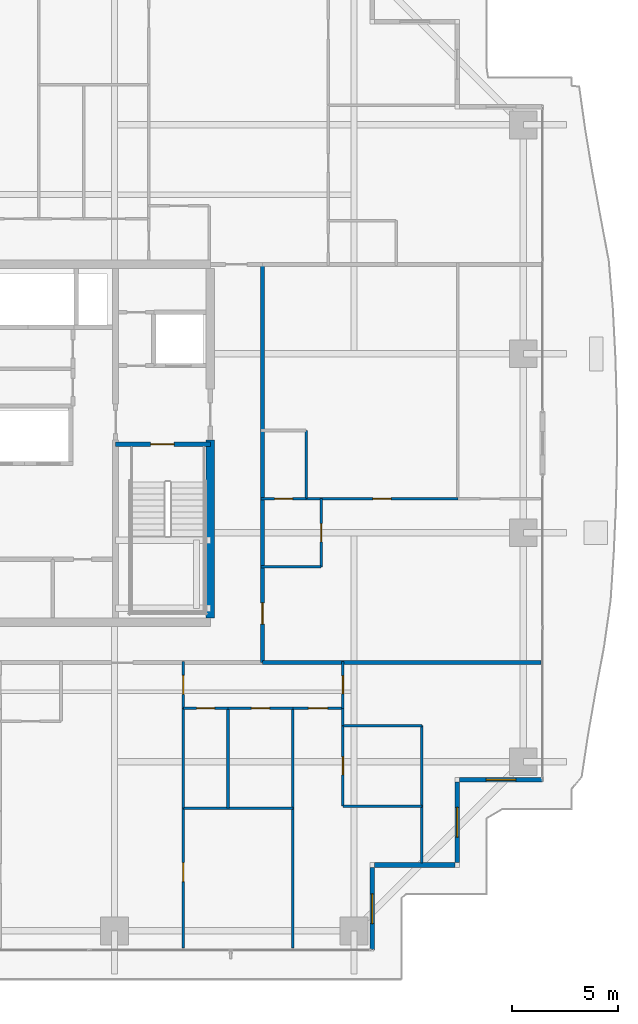
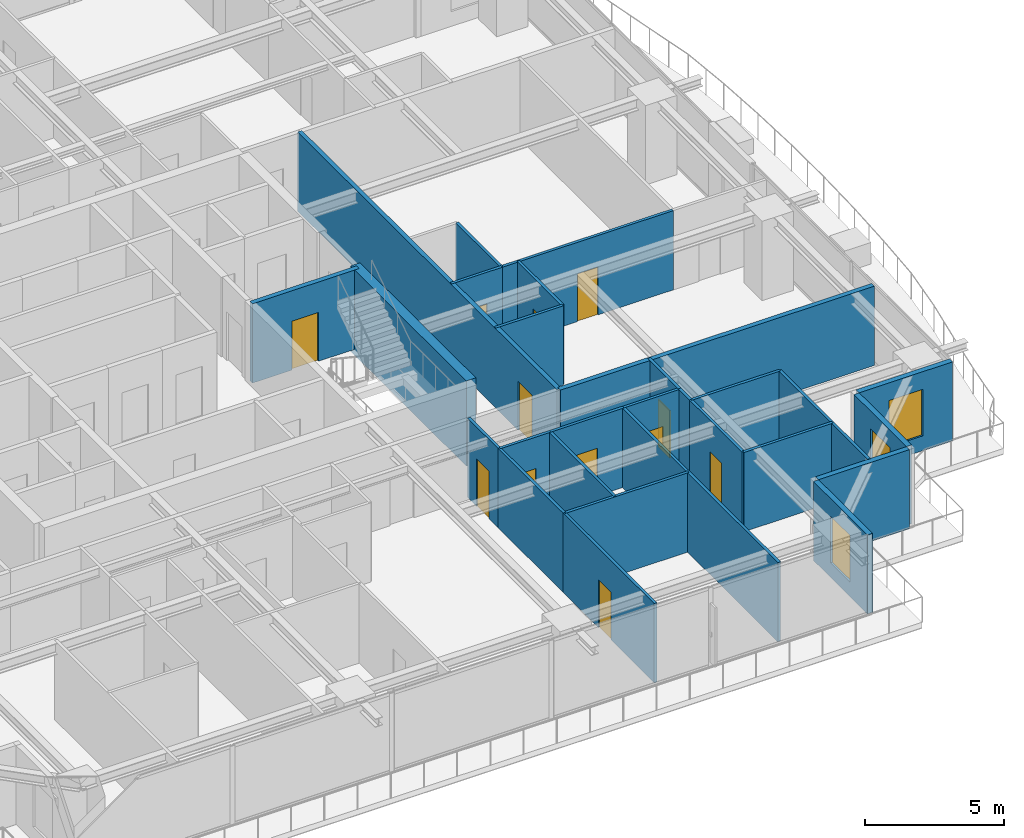
# One storey, part 26 of 34: 28 walls, 12 doors, 3 windows, 15 openings.
"""IFC4 building model written with IfcOpenShell, lengths in metres."""

from ifc_helpers import new_model, si_unit, direction, frame, frame_2d, origin, place, context, subcontext, project, spatial, rectangle, extrude, source, transform, mapped, material, layer, layer_set, type_object, element, fill, save


model = new_model("IFC4")

# Units and contexts
model_context = context("Model", 3, precision=1e-05, world=origin(), true_north=direction((0.0, 1.0)))
body_context = subcontext(model_context, "Body", "Model", "MODEL_VIEW")
ifc_project = project(units=[si_unit("LENGTHUNIT", "METRE"), si_unit("AREAUNIT", "SQUARE_METRE"), si_unit("VOLUMEUNIT", "CUBIC_METRE"), si_unit("PLANEANGLEUNIT", "RADIAN"), si_unit("MASSUNIT", "GRAM", prefix="KILO")], contexts=[model_context])

# Site, building, storey
site_placement = place(None, origin())
site = spatial("IfcSite", under=ifc_project, at=site_placement, CompositionType="ELEMENT")
building_placement = place(site_placement, origin())
building = spatial("IfcBuilding", under=site, at=building_placement, Name="Serunith Strait Residences", CompositionType="ELEMENT")
storey_placement = place(building_placement, frame((0.0, 0.0, 135.14990234375)))
storey = spatial("IfcBuildingStorey", under=building, at=storey_placement, Name="L33", CompositionType="ELEMENT", Elevation=135.14990234375)

# Wall, opening, window
ifc_material_1 = material(Name="Pale-Champagne Aluminium Insulated Panel", Category="aluminium")
ifc_layer_1 = layer(ifc_material_1, 0.219970703125, Name="Pale-Champagne Aluminium Insulated Panel")
ifc_layer_set_1 = layer_set([ifc_layer_1], Name="Pale-Champagne Aluminium Insulated Panel")
wall_type_1 = type_object("IfcWallType", Name="EW-ALUM-220", PredefinedType="ELEMENTEDWALL", material=ifc_layer_set_1)
wall_1_placement = place(storey_placement, frame((49.0, 1.39990234375, 0.0), z_axis=(0.0, 0.0, 1.0), x_axis=(0.0, 1.0, 0.0)))
wall_1 = element("IfcWall", 1, at=wall_1_placement, inside=storey, type_object=wall_type_1, Name="L33 Girih Serrated Corner Wall 02", PredefinedType="ELEMENTEDWALL", context=body_context, shape_type="SweptSolid", body=[
    extrude(rectangle(XDim=3.89013671875, YDim=0.219970703125, at=frame_2d((1.945068359375, 0.0))), origin(), (0.0, 0.0, 1.0), 3.47509765625),
])
opening_1_placement = place(wall_1_placement, frame((1.2451171875, 0.0, 0.64990234375)))
opening_1 = element("IfcOpeningElement", 2, at=opening_1_placement, cuts=wall_1, Name="Opening W-03", PredefinedType="OPENING", context=body_context, shape_type="SweptSolid", body=[
    extrude(rectangle(XDim=1.39990234375, YDim=2.050048828125, at=frame_2d((0.699951171875, 1.02490234375))), frame((0.0, 0.1201171875, 0.0), z_axis=(0.0, -1.0, 0.0), x_axis=(1.0, 0.0, 0.0)), (0.0, 0.0, 1.0), 0.239990234375),
])
ifc_material_2 = material(Name="Ceramic-Fritted Operable Aluminium Window Glass", Category="aluminium")
window_type = type_object("IfcWindowType", Name="WIN-C3", PartitioningType="SINGLE_PANEL", PredefinedType="WINDOW", material=ifc_material_2)
shared_shape_1 = source(origin(), body_context, "Body", "SweptSolid", [
    extrude(rectangle(XDim=1.39990234375, YDim=2.050048828125, at=frame_2d((0.699951171875, 1.02490234375))), frame((0.0, 0.030029296875, 0.0), z_axis=(0.0, -1.0, 0.0), x_axis=(1.0, 0.0, 0.0)), (0.0, 0.0, 1.0), 0.06005859375),
])
window_1_placement = place(opening_1_placement, origin())
window_1 = element("IfcWindow", 3, at=window_1_placement, inside=storey, type_object=window_type, Name="L33 Corner Operable Fritted Window 02", OverallHeight=2.050048828125, OverallWidth=1.39990234375, PartitioningType="SINGLE_PANEL", PredefinedType="WINDOW", context=body_context, shape_type="MappedRepresentation", body=[
    mapped(shared_shape_1, transform((0.0, 0.0, 0.0), scale=1.0)),
])
fill(opening_1, window_1)

# Wall
wall_2_placement = place(storey_placement, frame((49.110107421875, 5.39990234375, 0.0), z_axis=(0.0, 0.0, 1.0), x_axis=(1.0, 0.0, 0.0)))
element("IfcWall", 4, at=wall_2_placement, inside=storey, type_object=wall_type_1, Name="L33 Girih Serrated Corner Wall 03", PredefinedType="ELEMENTEDWALL", context=body_context, shape_type="SweptSolid", body=[
    extrude(rectangle(XDim=3.77978515625, YDim=0.219970703125, at=frame_2d((1.889892578125, 0.0))), origin(), (0.0, 0.0, 1.0), 3.47509765625),
])

# Wall, opening, window
wall_3_placement = place(storey_placement, frame((53.0, 5.510009765625, 0.0), z_axis=(0.0, 0.0, 1.0), x_axis=(0.0, 1.0, 0.0)))
wall_3 = element("IfcWall", 5, at=wall_3_placement, inside=storey, type_object=wall_type_1, Name="L33 Girih Serrated Corner Wall 04", PredefinedType="ELEMENTEDWALL", context=body_context, shape_type="SweptSolid", body=[
    extrude(rectangle(XDim=3.780029296875, YDim=0.219970703125, at=frame_2d((1.89013671875, 0.0))), origin(), (0.0, 0.0, 1.0), 3.47509765625),
])
opening_2_placement = place(wall_3_placement, frame((1.18994140625, 0.0, 0.64990234375)))
opening_2 = element("IfcOpeningElement", 6, at=opening_2_placement, cuts=wall_3, Name="Opening W-03", PredefinedType="OPENING", context=body_context, shape_type="SweptSolid", body=[
    extrude(rectangle(XDim=1.39990234375, YDim=2.050048828125, at=frame_2d((0.699951171875, 1.02490234375))), frame((0.0, 0.1201171875, 0.0), z_axis=(0.0, -1.0, 0.0), x_axis=(1.0, 0.0, 0.0)), (0.0, 0.0, 1.0), 0.239990234375),
])
window_2_placement = place(opening_2_placement, origin())
window_2 = element("IfcWindow", 7, at=window_2_placement, inside=storey, type_object=window_type, Name="L33 Corner Operable Fritted Window 04", OverallHeight=2.050048828125, OverallWidth=1.39990234375, PartitioningType="SINGLE_PANEL", PredefinedType="WINDOW", context=body_context, shape_type="MappedRepresentation", body=[
    mapped(shared_shape_1, transform((0.0, 0.0, 0.0), scale=1.0)),
])
fill(opening_2, window_2)

wall_4_placement = place(storey_placement, frame((53.110107421875, 9.39990234375, 0.0), z_axis=(0.0, 0.0, 1.0), x_axis=(1.0, 0.0, 0.0)))
wall_4 = element("IfcWall", 8, at=wall_4_placement, inside=storey, type_object=wall_type_1, Name="L33 Girih Serrated Corner Wall 05", PredefinedType="ELEMENTEDWALL", context=body_context, shape_type="SweptSolid", body=[
    extrude(rectangle(XDim=3.889892578125, YDim=0.219970703125, at=frame_2d((1.94482421875, 0.0))), origin(), (0.0, 0.0, 1.0), 3.47509765625),
])
opening_3_placement = place(wall_4_placement, frame((1.2451171875, 0.0, 0.64990234375)))
opening_3 = element("IfcOpeningElement", 9, at=opening_3_placement, cuts=wall_4, Name="Opening W-03", PredefinedType="OPENING", context=body_context, shape_type="SweptSolid", body=[
    extrude(rectangle(XDim=1.39990234375, YDim=2.050048828125, at=frame_2d((0.699951171875, 1.02490234375))), frame((0.0, 0.1201171875, 0.0), z_axis=(0.0, -1.0, 0.0), x_axis=(1.0, 0.0, 0.0)), (0.0, 0.0, 1.0), 0.239990234375),
])
window_3_placement = place(opening_3_placement, origin())
window_3 = element("IfcWindow", 10, at=window_3_placement, inside=storey, type_object=window_type, Name="L33 Corner Operable Fritted Window 05", OverallHeight=2.050048828125, OverallWidth=1.39990234375, PartitioningType="SINGLE_PANEL", PredefinedType="WINDOW", context=body_context, shape_type="MappedRepresentation", body=[
    mapped(shared_shape_1, transform((0.0, 0.0, 0.0), scale=1.0)),
])
fill(opening_3, window_3)

# Wall, opening, door
ifc_material_3 = material(Name="Fire-rated acoustic gypsum partition")
ifc_layer_2 = layer(ifc_material_3, 0.179931640625, Name="Fire-rated acoustic gypsum partition")
ifc_layer_set_2 = layer_set([ifc_layer_2], Name="Fire-rated acoustic gypsum partition")
wall_type_2 = type_object("IfcWallType", Name="IW-CORR-180", PredefinedType="PARTITIONING", material=ifc_layer_set_2)
wall_5_placement = place(storey_placement, frame((43.85009765625, 14.89990234375, 0.0), z_axis=(0.0, 0.0, 1.0), x_axis=(0.0, 1.0, 0.0)))
wall_5 = element("IfcWall", 11, at=wall_5_placement, inside=storey, type_object=wall_type_2, Name="L33 Partition Wall 026", PredefinedType="PARTITIONING", context=body_context, shape_type="SweptSolid", body=[
    extrude(rectangle(XDim=18.7001953125, YDim=0.179931640625, at=frame_2d((9.35009765625, 0.0))), origin(), (0.0, 0.0, 1.0), 3.489990234375),
])
opening_4_placement = place(wall_5_placement, frame((1.804931640625, 0.0, 0.0)))
opening_4 = element("IfcOpeningElement", 12, at=opening_4_placement, cuts=wall_5, Name="Opening D-APT1000", PredefinedType="OPENING", context=body_context, shape_type="SweptSolid", body=[
    extrude(rectangle(XDim=1.0, YDim=2.14990234375, at=frame_2d((0.5, 1.074951171875))), frame((0.0, 0.10009765625, 0.0), z_axis=(0.0, -1.0, 0.0), x_axis=(1.0, 0.0, 0.0)), (0.0, 0.0, 1.0), 0.199951171875),
])
ifc_material_4 = material(Name="Solid timber engineered fire door", Category="wood")
door_type_1 = type_object("IfcDoorType", Name="ID-APT-1000", OperationType="NOTDEFINED", PredefinedType="DOOR", material=ifc_material_4)
shared_shape_2 = source(origin(), body_context, "Body", "SweptSolid", [
    extrude(rectangle(XDim=1.0, YDim=2.14990234375, at=frame_2d((0.5, 1.074951171875))), frame((0.0, 0.02490234375, 0.0), z_axis=(0.0, -1.0, 0.0), x_axis=(1.0, 0.0, 0.0)), (0.0, 0.0, 1.0), 0.050048828125),
])
door_1_placement = place(opening_4_placement, origin())
door_1 = element("IfcDoor", 13, at=door_1_placement, inside=storey, type_object=door_type_1, Name="L33 Unit 04 Entrance Door", OperationType="SINGLE_SWING_LEFT", OverallHeight=2.14990234375, OverallWidth=1.0, PredefinedType="DOOR", context=body_context, shape_type="MappedRepresentation", body=[
    mapped(shared_shape_2, transform((0.0, 0.0, 0.0), scale=1.0)),
])
fill(opening_4, door_1)

ifc_material_5 = material(Name="Lightweight steel-stud gypsum partition", Category="steel")
ifc_layer_3 = layer(ifc_material_5, 0.1201171875, Name="Lightweight steel-stud gypsum partition")
ifc_layer_set_3 = layer_set([ifc_layer_3], Name="Lightweight steel-stud gypsum partition")
wall_type_3 = type_object("IfcWallType", Name="IW-PART-120", PredefinedType="PARTITIONING", material=ifc_layer_set_3)
wall_6_placement = place(storey_placement, frame((40.1298828125, 12.75, 0.0), z_axis=(0.0, 0.0, 1.0), x_axis=(0.0, 1.0, 0.0)))
wall_6 = element("IfcWall", 14, at=wall_6_placement, inside=storey, type_object=wall_type_3, Name="L33 Partition Wall 046", PredefinedType="PARTITIONING", context=body_context, shape_type="SweptSolid", body=[
    extrude(rectangle(XDim=2.2099609375, YDim=0.1201171875, at=frame_2d((1.10498046875, 0.0))), origin(), (0.0, 0.0, 1.0), 3.489990234375),
])
opening_5_placement = place(wall_6_placement, frame((0.655029296875, 0.0, 0.0)))
opening_5 = element("IfcOpeningElement", 15, at=opening_5_placement, cuts=wall_6, Name="Opening D-RM900", PredefinedType="OPENING", context=body_context, shape_type="SweptSolid", body=[
    extrude(rectangle(XDim=0.89990234375, YDim=2.10009765625, at=frame_2d((0.449951171875, 1.050048828125))), frame((0.0, 0.070068359375, 0.0), z_axis=(0.0, -1.0, 0.0), x_axis=(1.0, 0.0, 0.0)), (0.0, 0.0, 1.0), 0.14013671875),
])
ifc_material_6 = material(Name="Engineered timber flush bedroom door", Category="wood")
door_type_2 = type_object("IfcDoorType", Name="ID-ROOM-900", OperationType="NOTDEFINED", PredefinedType="DOOR", material=ifc_material_6)
shared_shape_3 = source(origin(), body_context, "Body", "SweptSolid", [
    extrude(rectangle(XDim=0.89990234375, YDim=2.10009765625, at=frame_2d((0.449951171875, 1.050048828125))), frame((0.0, 0.02490234375, 0.0), z_axis=(0.0, -1.0, 0.0), x_axis=(1.0, 0.0, 0.0)), (0.0, 0.0, 1.0), 0.050048828125),
])
door_2_placement = place(opening_5_placement, origin())
door_2 = element("IfcDoor", 16, at=door_2_placement, inside=storey, type_object=door_type_2, Name="L33 Hall E 3301 Door", OperationType="SINGLE_SWING_LEFT", OverallHeight=2.10009765625, OverallWidth=0.89990234375, PredefinedType="DOOR", context=body_context, shape_type="MappedRepresentation", body=[
    mapped(shared_shape_3, transform((0.0, 0.0, 0.0), scale=1.0)),
])
fill(opening_5, door_2)

wall_7_placement = place(storey_placement, frame((40.1298828125, 1.4951171875, 0.0), z_axis=(0.0, 0.0, 1.0), x_axis=(0.0, 1.0, 0.0)))
wall_7 = element("IfcWall", 17, at=wall_7_placement, inside=storey, type_object=wall_type_3, Name="L33 Partition Wall 047", PredefinedType="PARTITIONING", context=body_context, shape_type="SweptSolid", body=[
    extrude(rectangle(XDim=6.56787109375, YDim=0.1201171875, at=frame_2d((3.283935546875, 0.0))), origin(), (0.0, 0.0, 1.0), 3.489990234375),
])
opening_6_placement = place(wall_7_placement, frame((3.116943359375, 0.0, 0.0)))
opening_6 = element("IfcOpeningElement", 18, at=opening_6_placement, cuts=wall_7, Name="Opening D-RM900", PredefinedType="OPENING", context=body_context, shape_type="SweptSolid", body=[
    extrude(rectangle(XDim=0.89990234375, YDim=2.10009765625, at=frame_2d((0.449951171875, 1.050048828125))), frame((0.0, 0.070068359375, 0.0), z_axis=(0.0, -1.0, 0.0), x_axis=(1.0, 0.0, 0.0)), (0.0, 0.0, 1.0), 0.14013671875),
])
door_3_placement = place(opening_6_placement, origin())
door_3 = element("IfcDoor", 19, at=door_3_placement, inside=storey, type_object=door_type_2, Name="L33 Formal Dining Room 3 3301 Door", OperationType="SINGLE_SWING_RIGHT", OverallHeight=2.10009765625, OverallWidth=0.89990234375, PredefinedType="DOOR", context=body_context, shape_type="MappedRepresentation", body=[
    mapped(shared_shape_3, transform((0.0, 0.0, 0.0), scale=1.0)),
])
fill(opening_6, door_3)

# Walls
wall_8_placement = place(storey_placement, frame((40.1298828125, 8.06494140625, 0.0), z_axis=(0.0, 0.0, 1.0), x_axis=(0.0, 1.0, 0.0)))
element("IfcWall", 20, at=wall_8_placement, inside=storey, type_object=wall_type_3, Name="L33 Partition Wall 048", PredefinedType="PARTITIONING", context=body_context, shape_type="SweptSolid", body=[
    extrude(rectangle(XDim=4.68310546875, YDim=0.1201171875, at=frame_2d((2.341552734375, 0.0))), origin(), (0.0, 0.0, 1.0), 3.489990234375),
])
wall_9_placement = place(storey_placement, frame((40.1298828125, 8.06298828125, 0.0), z_axis=(0.0, 0.0, 1.0), x_axis=(1.0, 0.0, 0.0)))
element("IfcWall", 21, at=wall_9_placement, inside=storey, type_object=wall_type_3, Name="L33 Partition Wall 049", PredefinedType="PARTITIONING", context=body_context, shape_type="SweptSolid", body=[
    extrude(rectangle(XDim=5.150146484375, YDim=0.1201171875, at=frame_2d((2.5751953125, 0.0))), origin(), (0.0, 0.0, 1.0), 3.489990234375),
])
wall_10_placement = place(storey_placement, frame((45.280029296875, 1.4951171875, 0.0), z_axis=(0.0, 0.0, 1.0), x_axis=(0.0, 1.0, 0.0)))
element("IfcWall", 22, at=wall_10_placement, inside=storey, type_object=wall_type_3, Name="L33 Partition Wall 050", PredefinedType="PARTITIONING", context=body_context, shape_type="SweptSolid", body=[
    extrude(rectangle(XDim=11.2548828125, YDim=0.1201171875, at=frame_2d((5.62744140625, 0.0))), origin(), (0.0, 0.0, 1.0), 3.489990234375),
])
wall_11_placement = place(storey_placement, frame((42.22998046875, 8.06298828125, 0.0), z_axis=(0.0, 0.0, 1.0), x_axis=(0.0, 1.0, 0.0)))
element("IfcWall", 23, at=wall_11_placement, inside=storey, type_object=wall_type_3, Name="L33 Partition Wall 051", PredefinedType="PARTITIONING", context=body_context, shape_type="SweptSolid", body=[
    extrude(rectangle(XDim=4.68701171875, YDim=0.1201171875, at=frame_2d((2.343505859375, 0.0))), origin(), (0.0, 0.0, 1.0), 3.489990234375),
])

# Wall, opening, door
wall_12_placement = place(storey_placement, frame((40.1298828125, 12.75, 0.0), z_axis=(0.0, 0.0, 1.0), x_axis=(1.0, 0.0, 0.0)))
wall_12 = element("IfcWall", 24, at=wall_12_placement, inside=storey, type_object=wall_type_3, Name="L33 Partition Wall 052", PredefinedType="PARTITIONING", context=body_context, shape_type="SweptSolid", body=[
    extrude(rectangle(XDim=2.10009765625, YDim=0.1201171875, at=frame_2d((1.050048828125, 0.0))), origin(), (0.0, 0.0, 1.0), 3.489990234375),
])
opening_7_placement = place(wall_12_placement, frame((0.625, 0.0, 0.0)))
opening_7 = element("IfcOpeningElement", 25, at=opening_7_placement, cuts=wall_12, Name="Opening D-RM850", PredefinedType="OPENING", context=body_context, shape_type="SweptSolid", body=[
    extrude(rectangle(XDim=0.85009765625, YDim=2.10009765625, at=frame_2d((0.425048828125, 1.050048828125))), frame((0.0, 0.070068359375, 0.0), z_axis=(0.0, -1.0, 0.0), x_axis=(1.0, 0.0, 0.0)), (0.0, 0.0, 1.0), 0.14013671875),
])
ifc_material_7 = material(Name="Engineered timber flush study and kitchen door", Category="wood")
door_type_3 = type_object("IfcDoorType", Name="ID-ROOM-850", OperationType="NOTDEFINED", PredefinedType="DOOR", material=ifc_material_7)
shared_shape_4 = source(origin(), body_context, "Body", "SweptSolid", [
    extrude(rectangle(XDim=0.85009765625, YDim=2.10009765625, at=frame_2d((0.425048828125, 1.050048828125))), frame((0.0, 0.02490234375, 0.0), z_axis=(0.0, -1.0, 0.0), x_axis=(1.0, 0.0, 0.0)), (0.0, 0.0, 1.0), 0.050048828125),
])
door_4_placement = place(opening_7_placement, origin())
door_4 = element("IfcDoor", 26, at=door_4_placement, inside=storey, type_object=door_type_3, Name="L33 Study 3301 Door", OperationType="SINGLE_SWING_LEFT", OverallHeight=2.10009765625, OverallWidth=0.85009765625, PredefinedType="DOOR", context=body_context, shape_type="MappedRepresentation", body=[
    mapped(shared_shape_4, transform((0.0, 0.0, 0.0), scale=1.0)),
])
fill(opening_7, door_4)

wall_13_placement = place(storey_placement, frame((42.23193359375, 12.75, 0.0), z_axis=(0.0, 0.0, 1.0), x_axis=(1.0, 0.0, 0.0)))
wall_13 = element("IfcWall", 27, at=wall_13_placement, inside=storey, type_object=wall_type_3, Name="L33 Partition Wall 053", PredefinedType="PARTITIONING", context=body_context, shape_type="SweptSolid", body=[
    extrude(rectangle(XDim=3.048095703125, YDim=0.1201171875, at=frame_2d((1.52392578125, 0.0))), origin(), (0.0, 0.0, 1.0), 3.489990234375),
])
opening_8_placement = place(wall_13_placement, frame((1.09912109375, 0.0, 0.0)))
opening_8 = element("IfcOpeningElement", 28, at=opening_8_placement, cuts=wall_13, Name="Opening D-RM850", PredefinedType="OPENING", context=body_context, shape_type="SweptSolid", body=[
    extrude(rectangle(XDim=0.85009765625, YDim=2.10009765625, at=frame_2d((0.425048828125, 1.050048828125))), frame((0.0, 0.070068359375, 0.0), z_axis=(0.0, -1.0, 0.0), x_axis=(1.0, 0.0, 0.0)), (0.0, 0.0, 1.0), 0.14013671875),
])
door_5_placement = place(opening_8_placement, origin())
door_5 = element("IfcDoor", 29, at=door_5_placement, inside=storey, type_object=door_type_3, Name="L33 Formal Dining Room 3301 Door", OperationType="SINGLE_SWING_RIGHT", OverallHeight=2.10009765625, OverallWidth=0.85009765625, PredefinedType="DOOR", context=body_context, shape_type="MappedRepresentation", body=[
    mapped(shared_shape_4, transform((0.0, 0.0, 0.0), scale=1.0)),
])
fill(opening_8, door_5)

wall_14_placement = place(storey_placement, frame((45.281982421875, 12.75, 0.0), z_axis=(0.0, 0.0, 1.0), x_axis=(1.0, 0.0, 0.0)))
wall_14 = element("IfcWall", 30, at=wall_14_placement, inside=storey, type_object=wall_type_3, Name="L33 Partition Wall 054", PredefinedType="PARTITIONING", context=body_context, shape_type="SweptSolid", body=[
    extrude(rectangle(XDim=2.347900390625, YDim=0.1201171875, at=frame_2d((1.173828125, 0.0))), origin(), (0.0, 0.0, 1.0), 3.489990234375),
])
opening_9_placement = place(wall_14_placement, frame((0.72412109375, 0.0, 0.0)))
opening_9 = element("IfcOpeningElement", 31, at=opening_9_placement, cuts=wall_14, Name="Opening D-RM900", PredefinedType="OPENING", context=body_context, shape_type="SweptSolid", body=[
    extrude(rectangle(XDim=0.89990234375, YDim=2.10009765625, at=frame_2d((0.449951171875, 1.050048828125))), frame((0.0, 0.070068359375, 0.0), z_axis=(0.0, -1.0, 0.0), x_axis=(1.0, 0.0, 0.0)), (0.0, 0.0, 1.0), 0.14013671875),
])
door_6_placement = place(opening_9_placement, origin())
door_6 = element("IfcDoor", 32, at=door_6_placement, inside=storey, type_object=door_type_2, Name="L33 Master Bedroom E 3301 Door", OperationType="SINGLE_SWING_LEFT", OverallHeight=2.10009765625, OverallWidth=0.89990234375, PredefinedType="DOOR", context=body_context, shape_type="MappedRepresentation", body=[
    mapped(shared_shape_3, transform((0.0, 0.0, 0.0), scale=1.0)),
])
fill(opening_9, door_6)

# Walls
wall_15_placement = place(storey_placement, frame((47.6298828125, 8.156982421875, 0.0), z_axis=(0.0, 0.0, 1.0), x_axis=(1.0, 0.0, 0.0)))
element("IfcWall", 33, at=wall_15_placement, inside=storey, type_object=wall_type_3, Name="L33 Partition Wall 055", PredefinedType="PARTITIONING", context=body_context, shape_type="SweptSolid", body=[
    extrude(rectangle(XDim=3.7001953125, YDim=0.1201171875, at=frame_2d((1.85009765625, 0.0))), origin(), (0.0, 0.0, 1.0), 3.489990234375),
])
wall_16_placement = place(storey_placement, frame((51.330078125, 5.4951171875, 0.0), z_axis=(0.0, 0.0, 1.0), x_axis=(0.0, 1.0, 0.0)))
element("IfcWall", 34, at=wall_16_placement, inside=storey, type_object=wall_type_3, Name="L33 Partition Wall 056", PredefinedType="PARTITIONING", context=body_context, shape_type="SweptSolid", body=[
    extrude(rectangle(XDim=6.44580078125, YDim=0.1201171875, at=frame_2d((3.222900390625, 0.0))), origin(), (0.0, 0.0, 1.0), 3.489990234375),
])
wall_17_placement = place(storey_placement, frame((47.6298828125, 11.94091796875, 0.0), z_axis=(0.0, 0.0, 1.0), x_axis=(1.0, 0.0, 0.0)))
element("IfcWall", 35, at=wall_17_placement, inside=storey, type_object=wall_type_3, Name="L33 Partition Wall 057", PredefinedType="PARTITIONING", context=body_context, shape_type="SweptSolid", body=[
    extrude(rectangle(XDim=3.7001953125, YDim=0.1201171875, at=frame_2d((1.85009765625, 0.0))), origin(), (0.0, 0.0, 1.0), 3.489990234375),
])

# Wall, opening, door
wall_18_placement = place(storey_placement, frame((47.6298828125, 8.156982421875, 0.0), z_axis=(0.0, 0.0, 1.0), x_axis=(0.0, 1.0, 0.0)))
wall_18 = element("IfcWall", 36, at=wall_18_placement, inside=storey, type_object=wall_type_3, Name="L33 Partition Wall 058", PredefinedType="PARTITIONING", context=body_context, shape_type="SweptSolid", body=[
    extrude(rectangle(XDim=3.783935546875, YDim=0.1201171875, at=frame_2d((1.89208984375, 0.0))), origin(), (0.0, 0.0, 1.0), 3.489990234375),
])
opening_10_placement = place(wall_18_placement, frame((1.467041015625, 0.0, 0.0)))
opening_10 = element("IfcOpeningElement", 37, at=opening_10_placement, cuts=wall_18, Name="Opening D-BTH850", PredefinedType="OPENING", context=body_context, shape_type="SweptSolid", body=[
    extrude(rectangle(XDim=0.85009765625, YDim=2.10009765625, at=frame_2d((0.425048828125, 1.050048828125))), frame((0.0, 0.070068359375, 0.0), z_axis=(0.0, -1.0, 0.0), x_axis=(1.0, 0.0, 0.0)), (0.0, 0.0, 1.0), 0.14013671875),
])
ifc_material_8 = material(Name="Moisture-resistant timber bathroom door", Category="wood")
door_type_4 = type_object("IfcDoorType", Name="ID-BATH-850", OperationType="NOTDEFINED", PredefinedType="DOOR", material=ifc_material_8)
door_7_placement = place(opening_10_placement, origin())
door_7 = element("IfcDoor", 38, at=door_7_placement, inside=storey, type_object=door_type_4, Name="L33 En-suite Bathroom E 3301 Door", OperationType="SINGLE_SWING_RIGHT", OverallHeight=2.10009765625, OverallWidth=0.85009765625, PredefinedType="DOOR", context=body_context, shape_type="MappedRepresentation", body=[
    mapped(shared_shape_4, transform((0.0, 0.0, 0.0), scale=1.0)),
])
fill(opening_10, door_7)

# Wall
wall_19_placement = place(storey_placement, frame((47.6298828125, 11.943115234375, 0.0), z_axis=(0.0, 0.0, 1.0), x_axis=(0.0, 1.0, 0.0)))
element("IfcWall", 39, at=wall_19_placement, inside=storey, type_object=wall_type_3, Name="L33 Partition Wall 059", PredefinedType="PARTITIONING", context=body_context, shape_type="SweptSolid", body=[
    extrude(rectangle(XDim=0.806884765625, YDim=0.1201171875, at=frame_2d((0.4033203125, 0.0))), origin(), (0.0, 0.0, 1.0), 3.489990234375),
])

# Wall, opening, door
wall_20_placement = place(storey_placement, frame((47.6298828125, 12.751953125, 0.0), z_axis=(0.0, 0.0, 1.0), x_axis=(0.0, 1.0, 0.0)))
wall_20 = element("IfcWall", 40, at=wall_20_placement, inside=storey, type_object=wall_type_3, Name="L33 Partition Wall 060", PredefinedType="PARTITIONING", context=body_context, shape_type="SweptSolid", body=[
    extrude(rectangle(XDim=2.2080078125, YDim=0.1201171875, at=frame_2d((1.10400390625, 0.0))), origin(), (0.0, 0.0, 1.0), 3.489990234375),
])
opening_11_placement = place(wall_20_placement, frame((0.678955078125, 0.0, 0.0)))
opening_11 = element("IfcOpeningElement", 41, at=opening_11_placement, cuts=wall_20, Name="Opening D-RM850", PredefinedType="OPENING", context=body_context, shape_type="SweptSolid", body=[
    extrude(rectangle(XDim=0.85009765625, YDim=2.10009765625, at=frame_2d((0.425048828125, 1.050048828125))), frame((0.0, 0.070068359375, 0.0), z_axis=(0.0, -1.0, 0.0), x_axis=(1.0, 0.0, 0.0)), (0.0, 0.0, 1.0), 0.14013671875),
])
door_8_placement = place(opening_11_placement, origin())
door_8 = element("IfcDoor", 42, at=door_8_placement, inside=storey, type_object=door_type_3, Name="L33 Wardrobe E 3301 Door", OperationType="SINGLE_SWING_LEFT", OverallHeight=2.10009765625, OverallWidth=0.85009765625, PredefinedType="DOOR", context=body_context, shape_type="MappedRepresentation", body=[
    mapped(shared_shape_4, transform((0.0, 0.0, 0.0), scale=1.0)),
])
fill(opening_11, door_8)

wall_21_placement = place(storey_placement, frame((46.60009765625, 19.39990234375, 0.0), z_axis=(0.0, 0.0, 1.0), x_axis=(0.0, 1.0, 0.0)))
wall_21 = element("IfcWall", 43, at=wall_21_placement, inside=storey, type_object=wall_type_3, Name="L33 Partition Wall 092", PredefinedType="PARTITIONING", context=body_context, shape_type="SweptSolid", body=[
    extrude(rectangle(XDim=3.2001953125, YDim=0.1201171875, at=frame_2d((1.60009765625, 0.0))), origin(), (0.0, 0.0, 1.0), 3.489990234375),
])
opening_12_placement = place(wall_21_placement, frame((1.175048828125, 0.0, 0.0)))
opening_12 = element("IfcOpeningElement", 44, at=opening_12_placement, cuts=wall_21, Name="Opening D-RM850", PredefinedType="OPENING", context=body_context, shape_type="SweptSolid", body=[
    extrude(rectangle(XDim=0.85009765625, YDim=2.10009765625, at=frame_2d((0.425048828125, 1.050048828125))), frame((0.0, 0.070068359375, 0.0), z_axis=(0.0, -1.0, 0.0), x_axis=(1.0, 0.0, 0.0)), (0.0, 0.0, 1.0), 0.14013671875),
])
door_9_placement = place(opening_12_placement, origin())
door_9 = element("IfcDoor", 45, at=door_9_placement, inside=storey, type_object=door_type_3, Name="L33 Kitchen 3304 Door", OperationType="SINGLE_SWING_LEFT", OverallHeight=2.10009765625, OverallWidth=0.85009765625, PredefinedType="DOOR", context=body_context, shape_type="MappedRepresentation", body=[
    mapped(shared_shape_4, transform((0.0, 0.0, 0.0), scale=1.0)),
])
fill(opening_12, door_9)

# Walls
wall_22_placement = place(storey_placement, frame((46.60009765625, 19.39990234375, 0.0), z_axis=(0.0, 0.0, 1.0), x_axis=(-1.0, 0.0, 0.0)))
element("IfcWall", 46, at=wall_22_placement, inside=storey, type_object=wall_type_3, Name="L33 Partition Wall 093", PredefinedType="PARTITIONING", context=body_context, shape_type="SweptSolid", body=[
    extrude(rectangle(XDim=2.81005859375, YDim=0.1201171875, at=frame_2d((1.405029296875, 0.0))), origin(), (0.0, 0.0, 1.0), 3.489990234375),
])
wall_23_placement = place(storey_placement, frame((45.89990234375, 22.60009765625, 0.0), z_axis=(0.0, 0.0, 1.0), x_axis=(0.0, 1.0, 0.0)))
element("IfcWall", 47, at=wall_23_placement, inside=storey, type_object=wall_type_3, Name="L33 Partition Wall 096", PredefinedType="PARTITIONING", context=body_context, shape_type="SweptSolid", body=[
    extrude(rectangle(XDim=3.199951171875, YDim=0.1201171875, at=frame_2d((1.60009765625, 0.0))), origin(), (0.0, 0.0, 1.0), 3.489990234375),
])

# Wall, opening, door
wall_24_placement = place(storey_placement, frame((53.02392578125, 22.60009765625, 0.0), z_axis=(0.0, 0.0, 1.0), x_axis=(-1.0, 0.0, 0.0)))
wall_24 = element("IfcWall", 48, at=wall_24_placement, inside=storey, type_object=wall_type_3, Name="L33 Partition Wall 098", PredefinedType="PARTITIONING", context=body_context, shape_type="SweptSolid", body=[
    extrude(rectangle(XDim=7.1240234375, YDim=0.1201171875, at=frame_2d((3.56201171875, 0.0))), origin(), (0.0, 0.0, 1.0), 3.489990234375),
])
opening_13_placement = place(wall_24_placement, frame((3.136962890625, 0.0, 0.0)))
opening_13 = element("IfcOpeningElement", 49, at=opening_13_placement, cuts=wall_24, Name="Opening D-RM850", PredefinedType="OPENING", context=body_context, shape_type="SweptSolid", body=[
    extrude(rectangle(XDim=0.85009765625, YDim=2.10009765625, at=frame_2d((0.425048828125, 1.050048828125))), frame((0.0, 0.070068359375, 0.0), z_axis=(0.0, -1.0, 0.0), x_axis=(1.0, 0.0, 0.0)), (0.0, 0.0, 1.0), 0.14013671875),
])
door_10_placement = place(opening_13_placement, origin())
door_10 = element("IfcDoor", 50, at=door_10_placement, inside=storey, type_object=door_type_3, Name="L33 Walk-in Wardrobe 3304 Door", OperationType="SINGLE_SWING_LEFT", OverallHeight=2.10009765625, OverallWidth=0.85009765625, PredefinedType="DOOR", context=body_context, shape_type="MappedRepresentation", body=[
    mapped(shared_shape_4, transform((0.0, 0.0, 0.0), scale=1.0)),
])
fill(opening_13, door_10)

wall_25_placement = place(storey_placement, frame((45.89794921875, 22.60009765625, 0.0), z_axis=(0.0, 0.0, 1.0), x_axis=(-1.0, 0.0, 0.0)))
wall_25 = element("IfcWall", 51, at=wall_25_placement, inside=storey, type_object=wall_type_3, Name="L33 Partition Wall 099", PredefinedType="PARTITIONING", context=body_context, shape_type="SweptSolid", body=[
    extrude(rectangle(XDim=2.10791015625, YDim=0.1201171875, at=frame_2d((1.053955078125, 0.0))), origin(), (0.0, 0.0, 1.0), 3.489990234375),
])
opening_14_placement = place(wall_25_placement, frame((0.62890625, 0.0, 0.0)))
opening_14 = element("IfcOpeningElement", 52, at=opening_14_placement, cuts=wall_25, Name="Opening D-BTH850", PredefinedType="OPENING", context=body_context, shape_type="SweptSolid", body=[
    extrude(rectangle(XDim=0.85009765625, YDim=2.10009765625, at=frame_2d((0.425048828125, 1.050048828125))), frame((0.0, 0.070068359375, 0.0), z_axis=(0.0, -1.0, 0.0), x_axis=(1.0, 0.0, 0.0)), (0.0, 0.0, 1.0), 0.14013671875),
])
door_11_placement = place(opening_14_placement, origin())
door_11 = element("IfcDoor", 53, at=door_11_placement, inside=storey, type_object=door_type_4, Name="L33 Bathroom 3304 Door", OperationType="SINGLE_SWING_RIGHT", OverallHeight=2.10009765625, OverallWidth=0.85009765625, PredefinedType="DOOR", context=body_context, shape_type="MappedRepresentation", body=[
    mapped(shared_shape_4, transform((0.0, 0.0, 0.0), scale=1.0)),
])
fill(opening_14, door_11)

# Wall
ifc_material_9 = material(Name="Twin-stud acoustic gypsum board partition")
ifc_layer_4 = layer(ifc_material_9, 0.199951171875, Name="Twin-stud acoustic gypsum board partition")
ifc_layer_set_4 = layer_set([ifc_layer_4], Name="Twin-stud acoustic gypsum board partition")
wall_type_4 = type_object("IfcWallType", Name="IW-PARTY-200", PredefinedType="PARTITIONING", material=ifc_layer_set_4)
wall_26_placement = place(storey_placement, frame((43.85009765625, 14.89990234375, 0.0), z_axis=(0.0, 0.0, 1.0), x_axis=(1.0, 0.0, 0.0)))
element("IfcWall", 54, at=wall_26_placement, inside=storey, type_object=wall_type_4, Name="L33 Partition Wall 021", PredefinedType="PARTITIONING", context=body_context, shape_type="SweptSolid", body=[
    extrude(rectangle(XDim=13.06787109375, YDim=0.199951171875, at=frame_2d((6.533935546875, 0.0))), origin(), (0.0, 0.0, 1.0), 3.489990234375),
])

# Wall, opening, door
ifc_material_10 = material(Name="Autoclaved aerated concrete blockwork", Category="masonry")
ifc_layer_5 = layer(ifc_material_10, 0.199951171875, Name="Autoclaved aerated concrete blockwork")
ifc_layer_set_5 = layer_set([ifc_layer_5], Name="Autoclaved aerated concrete blockwork")
wall_type_5 = type_object("IfcWallType", Name="IW-SHAFT-200", PredefinedType="STANDARD", material=ifc_layer_set_5)
wall_27_placement = place(storey_placement, frame((36.949951171875, 25.14990234375, 0.0), z_axis=(0.0, 0.0, 1.0), x_axis=(1.0, 0.0, 0.0)))
wall_27 = element("IfcWall", 55, at=wall_27_placement, inside=storey, type_object=wall_type_5, Name="L33 ST-2 North Shaft Wall", PredefinedType="STANDARD", context=body_context, shape_type="SweptSolid", body=[
    extrude(rectangle(XDim=4.449951171875, YDim=0.199951171875, at=frame_2d((2.22509765625, 0.0))), origin(), (0.0, 0.0, 1.0), 3.489990234375),
])
opening_15_placement = place(wall_27_placement, frame((1.64990234375, 0.0, 0.0)))
opening_15 = element("IfcOpeningElement", 56, at=opening_15_placement, cuts=wall_27, Name="Opening FD-1100", PredefinedType="OPENING", context=body_context, shape_type="SweptSolid", body=[
    extrude(rectangle(XDim=1.10009765625, YDim=2.14990234375, at=frame_2d((0.550048828125, 1.074951171875))), frame((0.0, 0.10986328125, 0.0), z_axis=(0.0, -1.0, 0.0), x_axis=(1.0, 0.0, 0.0)), (0.0, 0.0, 1.0), 0.219970703125),
])
ifc_material_11 = material(Name="Galvanised steel fire door leaf", Category="steel")
door_type_5 = type_object("IfcDoorType", Name="FD-STAIR-1100", OperationType="NOTDEFINED", PredefinedType="DOOR", material=ifc_material_11)
shared_shape_5 = source(origin(), body_context, "Body", "SweptSolid", [
    extrude(rectangle(XDim=1.10009765625, YDim=2.14990234375, at=frame_2d((0.550048828125, 1.074951171875))), frame((0.0, 0.02490234375, 0.0), z_axis=(0.0, -1.0, 0.0), x_axis=(1.0, 0.0, 0.0)), (0.0, 0.0, 1.0), 0.050048828125),
])
door_12_placement = place(opening_15_placement, origin())
door_12 = element("IfcDoor", 57, at=door_12_placement, inside=storey, type_object=door_type_5, Name="L33 ST-2 Escape Stair Door", OperationType="SINGLE_SWING_RIGHT", OverallHeight=2.14990234375, OverallWidth=1.10009765625, PredefinedType="DOOR", context=body_context, shape_type="MappedRepresentation", body=[
    mapped(shared_shape_5, transform((0.0, 0.0, 0.0), scale=1.0)),
])
fill(opening_15, door_12)

# Wall
ifc_material_12 = material(Name="Concrete C70/85", Category="concrete")
ifc_layer_6 = layer(ifc_material_12, 0.39990234375, Name="Concrete C70/85")
ifc_layer_set_6 = layer_set([ifc_layer_6], Name="Concrete C70/85")
wall_type_6 = type_object("IfcWallType", Name="SW-400-C70", PredefinedType="SHEAR", material=ifc_layer_set_6)
wall_28_placement = place(storey_placement, frame((41.39990234375, 17.0, -0.260009765625), z_axis=(0.0, 0.0, 1.0), x_axis=(0.0, 1.0, 0.0)))
element("IfcWall", 58, at=wall_28_placement, inside=storey, type_object=wall_type_6, Name="L33 Core East Shear Wall South Pier", PredefinedType="SHEAR", context=body_context, shape_type="SweptSolid", body=[
    extrude(rectangle(XDim=8.35009765625, YDim=0.39990234375, at=frame_2d((4.175048828125, 0.0))), origin(), (0.0, 0.0, 1.0), 3.748046875),
])

save(model, "model.ifc")
